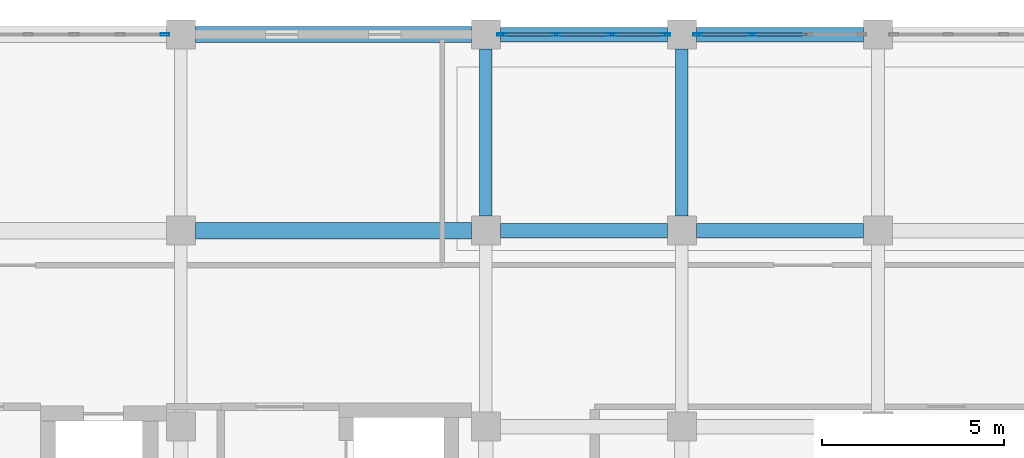
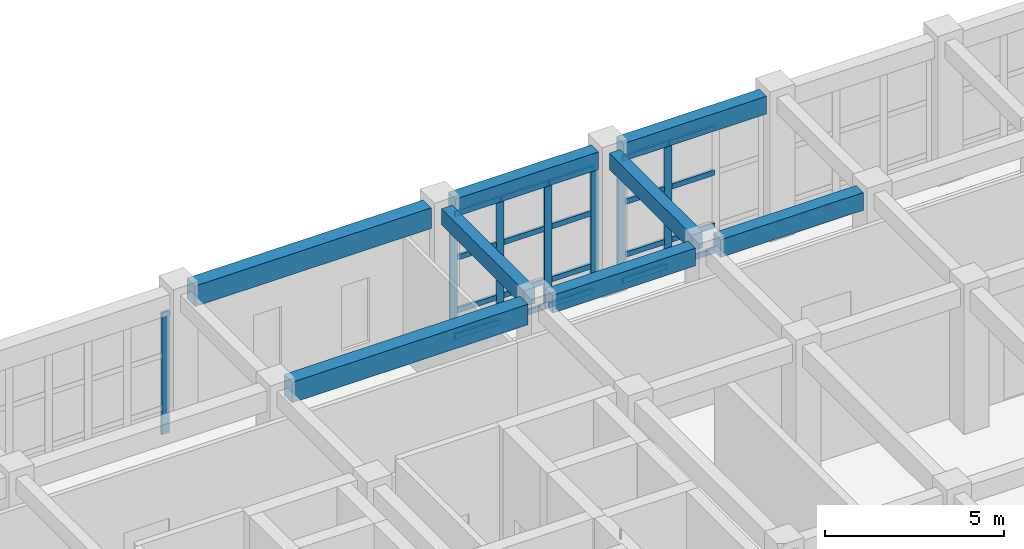
# One storey, part 41 of 77: 27 members, 8 beams, 3 elements without a shape of their own.
"""IFC4 building model written with IfcOpenShell, lengths in metres."""

from ifc_helpers import new_model, si_unit, direction, frame, origin, origin_2d, place, context, subcontext, project, spatial, rectangle, hollow_rectangle, extrude, material, layer, layer_set, material_profile, profile_set, type_object, element, aggregate, save


model = new_model("IFC4")

# Units and contexts
model_context = context("Model", 3, precision=1e-05, world=origin(), true_north=direction((0.0, 1.0)))
body_context = subcontext(model_context, "Body", "Model", "MODEL_VIEW")
ifc_project = project(units=[si_unit("LENGTHUNIT", "METRE"), si_unit("AREAUNIT", "SQUARE_METRE"), si_unit("VOLUMEUNIT", "CUBIC_METRE"), si_unit("PLANEANGLEUNIT", "RADIAN"), si_unit("MASSUNIT", "GRAM", prefix="KILO")], contexts=[model_context])

# Site, building, storey
site_placement = place(None, origin())
site = spatial("IfcSite", under=ifc_project, at=site_placement, CompositionType="ELEMENT")
building_placement = place(site_placement, origin())
building = spatial("IfcBuilding", under=site, at=building_placement, Name="Krzemoval Escarpment Law Courts", CompositionType="ELEMENT")
storey_placement = place(building_placement, frame((0.0, 0.0, 15.300048828125)))
storey = spatial("IfcBuildingStorey", under=building, at=storey_placement, Name="L03", CompositionType="ELEMENT", Elevation=15.300048828125)

# Beams
ifc_material_1 = material(Name="Concrete C40/50", Category="concrete")
ifc_material_profile_1 = material_profile(ifc_material_1, rectangle(XDim=0.35009765625, YDim=0.550048828125, at=origin_2d()), Name="RCB 350x550")
ifc_profile_set_1 = profile_set([ifc_material_profile_1], Name="Concrete C40/50")
beam_type_1 = type_object("IfcBeamType", Name="BM-RC-350x550", PredefinedType="BEAM", material=ifc_profile_set_1)
for number, where, z_axis, x_axis, name in (
    (1, (151.199951171875, 113.800048828125, 4.56494140625), (0.0, 1.0, 0.0), (-1.0, 0.0, 0.0), "Beam FG-L03-2344"),
    (2, (156.60009765625, 113.800048828125, 4.56494140625), (0.0, 1.0, 0.0), (-1.0, 0.0, 0.0), "Beam FG-L03-2348"),
):
    element("IfcBeam", number, at=place(storey_placement, frame(where, z_axis=z_axis, x_axis=x_axis)), inside=storey, type_object=beam_type_1, Name=name, PredefinedType="BEAM", context=body_context, shape_type="SweptSolid", body=[
        extrude(rectangle(XDim=0.35009765625, YDim=0.550048828125, at=origin_2d()), origin(), (0.0, 0.0, 1.0), 4.599853515625),
    ])
ifc_material_2 = material(Name="Concrete C40/50", Category="concrete")
ifc_material_profile_2 = material_profile(ifc_material_2, rectangle(XDim=0.39990234375, YDim=0.60009765625, at=origin_2d()), Name="RCB 400x600")
ifc_profile_set_2 = profile_set([ifc_material_profile_2], Name="Concrete C40/50")
beam_type_2 = type_object("IfcBeamType", Name="BM-RC-400x600", PredefinedType="BEAM", material=ifc_profile_set_2)
beam_1_placement = place(storey_placement, frame((151.60009765625, 113.39990234375, 4.5400390625), z_axis=(1.0, 0.0, 0.0), x_axis=(0.0, 1.0, 0.0)))
element("IfcBeam", 3, at=beam_1_placement, inside=storey, type_object=beam_type_2, Name="Beam FG-L03-2204", PredefinedType="BEAM", context=body_context, shape_type="SweptSolid", body=[
    extrude(rectangle(XDim=0.39990234375, YDim=0.60009765625, at=origin_2d()), origin(), (0.0, 0.0, 1.0), 4.599853515625),
])
beam_2_placement = place(storey_placement, frame((157.0, 113.39990234375, 4.5400390625), z_axis=(1.0, 0.0, 0.0), x_axis=(0.0, 1.0, 0.0)))
element("IfcBeam", 4, at=beam_2_placement, inside=storey, type_object=beam_type_2, Name="Beam FG-L03-2205", PredefinedType="BEAM", context=body_context, shape_type="SweptSolid", body=[
    extrude(rectangle(XDim=0.39990234375, YDim=0.60009765625, at=origin_2d()), origin(), (0.0, 0.0, 1.0), 4.60009765625),
])
beam_3_placement = place(storey_placement, frame((151.60009765625, 118.800048828125, 4.5400390625), z_axis=(1.0, 0.0, 0.0), x_axis=(0.0, 1.0, 0.0)))
element("IfcBeam", 5, at=beam_3_placement, inside=storey, type_object=beam_type_2, Name="Beam FG-L03-2211", PredefinedType="BEAM", context=body_context, shape_type="SweptSolid", body=[
    extrude(rectangle(XDim=0.39990234375, YDim=0.60009765625, at=origin_2d()), origin(), (0.0, 0.0, 1.0), 4.599853515625),
])
beam_4_placement = place(storey_placement, frame((157.0, 118.800048828125, 4.5400390625), z_axis=(1.0, 0.0, 0.0), x_axis=(0.0, 1.0, 0.0)))
element("IfcBeam", 6, at=beam_4_placement, inside=storey, type_object=beam_type_2, Name="Beam FG-L03-2212", PredefinedType="BEAM", context=body_context, shape_type="SweptSolid", body=[
    extrude(rectangle(XDim=0.39990234375, YDim=0.60009765625, at=origin_2d()), origin(), (0.0, 0.0, 1.0), 4.60009765625),
])
ifc_material_3 = material(Name="Concrete C40/50", Category="concrete")
ifc_material_profile_3 = material_profile(ifc_material_3, rectangle(XDim=0.449951171875, YDim=0.699951171875, at=origin_2d()), Name="RCB 450x700")
ifc_profile_set_3 = profile_set([ifc_material_profile_3], Name="Concrete C40/50")
beam_type_3 = type_object("IfcBeamType", Name="BM-RC-450x700", PredefinedType="BEAM", material=ifc_profile_set_3)
for number, where, z_axis, x_axis, name in (
    (7, (143.199951171875, 113.39990234375, 4.489990234375), (1.0, 0.0, 0.0), (0.0, 1.0, 0.0), "Beam FG-L03-2203"),
    (8, (143.199951171875, 118.800048828125, 4.489990234375), (1.0, 0.0, 0.0), (0.0, 1.0, 0.0), "Beam FG-L03-2210"),
):
    element("IfcBeam", number, at=place(storey_placement, frame(where, z_axis=z_axis, x_axis=x_axis)), inside=storey, type_object=beam_type_3, Name=name, PredefinedType="BEAM", context=body_context, shape_type="SweptSolid", body=[
        extrude(rectangle(XDim=0.449951171875, YDim=0.699951171875, at=origin_2d()), origin(), (0.0, 0.0, 1.0), 7.60009765625),
    ])

# Curtain wall, member
ifc_material_4 = material(Name="Aluminium 6063-T6", Category="aluminium")
ifc_layer = layer(ifc_material_4, 0.239990234375)
ifc_layer_set = layer_set([ifc_layer], Name="Aluminium 6063-T6")
curtain_wall_type = type_object("IfcCurtainWallType", Name="CW-CHMB-4800", PredefinedType="USERDEFINED", material=ifc_layer_set)
curtain_wall_1_placement = place(storey_placement, origin())
curtain_wall_1 = element("IfcCurtainWall", 9, at=curtain_wall_1_placement, inside=storey, type_object=curtain_wall_type, Name="Unitised Curtain Wall FCW-L03-115", ObjectType="UNITISED_CURTAIN_WALL", PredefinedType="USERDEFINED")
ifc_material_5 = material(Name="Aluminium 6063-T6", Category="aluminium")
ifc_material_profile_4 = material_profile(ifc_material_5, hollow_rectangle(XDim=0.074951171875, YDim=0.239990234375, WallThickness=0.0048828125, at=origin_2d()), Name="ALU M75x240")
ifc_profile_set_4 = profile_set([ifc_material_profile_4], Name="Aluminium 6063-T6")
member_type_1 = type_object("IfcMemberType", Name="CWM-75x240", PredefinedType="MULLION", material=ifc_profile_set_4)
member_1_placement = place(storey_placement, frame((142.362548828125, 118.800048828125, 0.0), z_axis=(0.0, 0.0, 1.0), x_axis=(0.0, 1.0, 0.0)))
member_1 = element("IfcMember", 10, at=member_1_placement, type_object=member_type_1, Name="FCW-L03-115 mullion 7", PredefinedType="MULLION", context=body_context, shape_type="SweptSolid", body=[
    extrude(hollow_rectangle(XDim=0.074951171875, YDim=0.239990234375, WallThickness=0.0048828125, at=origin_2d()), origin(), (0.0, 0.0, 1.0), 4.139892578125),
])
aggregate(curtain_wall_1, [member_1])

# Curtain wall, members
curtain_wall_2_placement = place(storey_placement, origin())
curtain_wall_2 = element("IfcCurtainWall", 11, at=curtain_wall_2_placement, inside=storey, type_object=curtain_wall_type, Name="Unitised Curtain Wall FCW-L03-116", ObjectType="UNITISED_CURTAIN_WALL", PredefinedType="USERDEFINED")
member_2_placement = place(storey_placement, frame((151.637451171875, 118.800048828125, 0.0), z_axis=(0.0, 0.0, 1.0), x_axis=(0.0, 1.0, 0.0)))
member_2 = element("IfcMember", 12, at=member_2_placement, type_object=member_type_1, Name="FCW-L03-116 mullion 1", PredefinedType="MULLION", context=body_context, shape_type="SweptSolid", body=[
    extrude(hollow_rectangle(XDim=0.074951171875, YDim=0.239990234375, WallThickness=0.0048828125, at=origin_2d()), origin(), (0.0, 0.0, 1.0), 4.239990234375),
])
member_3_placement = place(storey_placement, frame((153.13330078125, 118.800048828125, 0.0), z_axis=(0.0, 0.0, 1.0), x_axis=(0.0, 1.0, 0.0)))
member_3 = element("IfcMember", 13, at=member_3_placement, type_object=member_type_1, Name="FCW-L03-116 mullion 2", PredefinedType="MULLION", context=body_context, shape_type="SweptSolid", body=[
    extrude(hollow_rectangle(XDim=0.074951171875, YDim=0.239990234375, WallThickness=0.0048828125, at=origin_2d()), origin(), (0.0, 0.0, 1.0), 4.239990234375),
])
member_4_placement = place(storey_placement, frame((154.666748046875, 118.800048828125, 0.0), z_axis=(0.0, 0.0, 1.0), x_axis=(0.0, 1.0, 0.0)))
member_4 = element("IfcMember", 14, at=member_4_placement, type_object=member_type_1, Name="FCW-L03-116 mullion 3", PredefinedType="MULLION", context=body_context, shape_type="SweptSolid", body=[
    extrude(hollow_rectangle(XDim=0.074951171875, YDim=0.239990234375, WallThickness=0.0048828125, at=origin_2d()), origin(), (0.0, 0.0, 1.0), 4.239990234375),
])
member_5_placement = place(storey_placement, frame((156.16259765625, 118.800048828125, 0.0), z_axis=(0.0, 0.0, 1.0), x_axis=(0.0, 1.0, 0.0)))
member_5 = element("IfcMember", 15, at=member_5_placement, type_object=member_type_1, Name="FCW-L03-116 mullion 4", PredefinedType="MULLION", context=body_context, shape_type="SweptSolid", body=[
    extrude(hollow_rectangle(XDim=0.074951171875, YDim=0.239990234375, WallThickness=0.0048828125, at=origin_2d()), origin(), (0.0, 0.0, 1.0), 4.239990234375),
])

curtain_wall_3_placement = place(storey_placement, origin())
curtain_wall_3 = element("IfcCurtainWall", 16, at=curtain_wall_3_placement, inside=storey, type_object=curtain_wall_type, Name="Unitised Curtain Wall FCW-L03-117", ObjectType="UNITISED_CURTAIN_WALL", PredefinedType="USERDEFINED")
member_6_placement = place(storey_placement, frame((157.03759765625, 118.800048828125, 0.0), z_axis=(0.0, 0.0, 1.0), x_axis=(0.0, 1.0, 0.0)))
member_6 = element("IfcMember", 17, at=member_6_placement, type_object=member_type_1, Name="FCW-L03-117 mullion 1", PredefinedType="MULLION", context=body_context, shape_type="SweptSolid", body=[
    extrude(hollow_rectangle(XDim=0.074951171875, YDim=0.239990234375, WallThickness=0.0048828125, at=origin_2d()), origin(), (0.0, 0.0, 1.0), 4.239990234375),
])
member_7_placement = place(storey_placement, frame((158.533447265625, 118.800048828125, 0.0), z_axis=(0.0, 0.0, 1.0), x_axis=(0.0, 1.0, 0.0)))
member_7 = element("IfcMember", 18, at=member_7_placement, type_object=member_type_1, Name="FCW-L03-117 mullion 2", PredefinedType="MULLION", context=body_context, shape_type="SweptSolid", body=[
    extrude(hollow_rectangle(XDim=0.074951171875, YDim=0.239990234375, WallThickness=0.0048828125, at=origin_2d()), origin(), (0.0, 0.0, 1.0), 4.239990234375),
])

# Member
ifc_material_6 = material(Name="Aluminium 6063-T6", Category="aluminium")
ifc_material_profile_5 = material_profile(ifc_material_6, hollow_rectangle(XDim=0.074951171875, YDim=0.179931640625, WallThickness=0.0048828125, at=origin_2d()), Name="ALU T75x180")
ifc_profile_set_5 = profile_set([ifc_material_profile_5], Name="Aluminium 6063-T6")
member_type_2 = type_object("IfcMemberType", Name="CWT-75x180", PredefinedType="USERDEFINED", material=ifc_profile_set_5)
member_8_placement = place(storey_placement, frame((151.675048828125, 118.800048828125, 0.037353515625), z_axis=(1.0, 0.0, 0.0), x_axis=(0.0, 1.0, 0.0)))
member_8 = element("IfcMember", 19, at=member_8_placement, type_object=member_type_2, Name="FCW-L03-116 transom 1.1", ObjectType="TRANSOM", PredefinedType="USERDEFINED", context=body_context, shape_type="SweptSolid", body=[
    extrude(hollow_rectangle(XDim=0.074951171875, YDim=0.179931640625, WallThickness=0.0048828125, at=origin_2d()), origin(), (0.0, 0.0, 1.0), 1.4208984375),
])

member_9_placement = place(storey_placement, frame((151.675048828125, 118.800048828125, 0.89990234375), z_axis=(1.0, 0.0, 0.0), x_axis=(0.0, 1.0, 0.0)))
member_9 = element("IfcMember", 20, at=member_9_placement, type_object=member_type_2, Name="FCW-L03-116 transom 1.2", ObjectType="TRANSOM", PredefinedType="USERDEFINED", context=body_context, shape_type="SweptSolid", body=[
    extrude(hollow_rectangle(XDim=0.074951171875, YDim=0.179931640625, WallThickness=0.0048828125, at=origin_2d()), origin(), (0.0, 0.0, 1.0), 1.4208984375),
])

member_10_placement = place(storey_placement, frame((151.675048828125, 118.800048828125, 2.699951171875), z_axis=(1.0, 0.0, 0.0), x_axis=(0.0, 1.0, 0.0)))
member_10 = element("IfcMember", 21, at=member_10_placement, type_object=member_type_2, Name="FCW-L03-116 transom 1.3", ObjectType="TRANSOM", PredefinedType="USERDEFINED", context=body_context, shape_type="SweptSolid", body=[
    extrude(hollow_rectangle(XDim=0.074951171875, YDim=0.179931640625, WallThickness=0.0048828125, at=origin_2d()), origin(), (0.0, 0.0, 1.0), 1.4208984375),
])

member_11_placement = place(storey_placement, frame((151.675048828125, 118.800048828125, 4.202392578125), z_axis=(1.0, 0.0, 0.0), x_axis=(0.0, 1.0, 0.0)))
member_11 = element("IfcMember", 22, at=member_11_placement, type_object=member_type_2, Name="FCW-L03-116 transom 1.4", ObjectType="TRANSOM", PredefinedType="USERDEFINED", context=body_context, shape_type="SweptSolid", body=[
    extrude(hollow_rectangle(XDim=0.074951171875, YDim=0.179931640625, WallThickness=0.0048828125, at=origin_2d()), origin(), (0.0, 0.0, 1.0), 1.4208984375),
])

member_12_placement = place(storey_placement, frame((153.1708984375, 118.800048828125, 0.037353515625), z_axis=(1.0, 0.0, 0.0), x_axis=(0.0, 1.0, 0.0)))
member_12 = element("IfcMember", 23, at=member_12_placement, type_object=member_type_2, Name="FCW-L03-116 transom 2.1", ObjectType="TRANSOM", PredefinedType="USERDEFINED", context=body_context, shape_type="SweptSolid", body=[
    extrude(hollow_rectangle(XDim=0.074951171875, YDim=0.179931640625, WallThickness=0.0048828125, at=origin_2d()), origin(), (0.0, 0.0, 1.0), 1.458251953125),
])

member_13_placement = place(storey_placement, frame((153.1708984375, 118.800048828125, 0.89990234375), z_axis=(1.0, 0.0, 0.0), x_axis=(0.0, 1.0, 0.0)))
member_13 = element("IfcMember", 24, at=member_13_placement, type_object=member_type_2, Name="FCW-L03-116 transom 2.2", ObjectType="TRANSOM", PredefinedType="USERDEFINED", context=body_context, shape_type="SweptSolid", body=[
    extrude(hollow_rectangle(XDim=0.074951171875, YDim=0.179931640625, WallThickness=0.0048828125, at=origin_2d()), origin(), (0.0, 0.0, 1.0), 1.458251953125),
])

member_14_placement = place(storey_placement, frame((153.1708984375, 118.800048828125, 2.699951171875), z_axis=(1.0, 0.0, 0.0), x_axis=(0.0, 1.0, 0.0)))
member_14 = element("IfcMember", 25, at=member_14_placement, type_object=member_type_2, Name="FCW-L03-116 transom 2.3", ObjectType="TRANSOM", PredefinedType="USERDEFINED", context=body_context, shape_type="SweptSolid", body=[
    extrude(hollow_rectangle(XDim=0.074951171875, YDim=0.179931640625, WallThickness=0.0048828125, at=origin_2d()), origin(), (0.0, 0.0, 1.0), 1.458251953125),
])

member_15_placement = place(storey_placement, frame((153.1708984375, 118.800048828125, 4.202392578125), z_axis=(1.0, 0.0, 0.0), x_axis=(0.0, 1.0, 0.0)))
member_15 = element("IfcMember", 26, at=member_15_placement, type_object=member_type_2, Name="FCW-L03-116 transom 2.4", ObjectType="TRANSOM", PredefinedType="USERDEFINED", context=body_context, shape_type="SweptSolid", body=[
    extrude(hollow_rectangle(XDim=0.074951171875, YDim=0.179931640625, WallThickness=0.0048828125, at=origin_2d()), origin(), (0.0, 0.0, 1.0), 1.458251953125),
])

member_16_placement = place(storey_placement, frame((154.7041015625, 118.800048828125, 0.037353515625), z_axis=(1.0, 0.0, 0.0), x_axis=(0.0, 1.0, 0.0)))
member_16 = element("IfcMember", 27, at=member_16_placement, type_object=member_type_2, Name="FCW-L03-116 transom 3.1", ObjectType="TRANSOM", PredefinedType="USERDEFINED", context=body_context, shape_type="SweptSolid", body=[
    extrude(hollow_rectangle(XDim=0.074951171875, YDim=0.179931640625, WallThickness=0.0048828125, at=origin_2d()), origin(), (0.0, 0.0, 1.0), 1.4208984375),
])

member_17_placement = place(storey_placement, frame((154.7041015625, 118.800048828125, 0.89990234375), z_axis=(1.0, 0.0, 0.0), x_axis=(0.0, 1.0, 0.0)))
member_17 = element("IfcMember", 28, at=member_17_placement, type_object=member_type_2, Name="FCW-L03-116 transom 3.2", ObjectType="TRANSOM", PredefinedType="USERDEFINED", context=body_context, shape_type="SweptSolid", body=[
    extrude(hollow_rectangle(XDim=0.074951171875, YDim=0.179931640625, WallThickness=0.0048828125, at=origin_2d()), origin(), (0.0, 0.0, 1.0), 1.4208984375),
])

member_18_placement = place(storey_placement, frame((154.7041015625, 118.800048828125, 2.699951171875), z_axis=(1.0, 0.0, 0.0), x_axis=(0.0, 1.0, 0.0)))
member_18 = element("IfcMember", 29, at=member_18_placement, type_object=member_type_2, Name="FCW-L03-116 transom 3.3", ObjectType="TRANSOM", PredefinedType="USERDEFINED", context=body_context, shape_type="SweptSolid", body=[
    extrude(hollow_rectangle(XDim=0.074951171875, YDim=0.179931640625, WallThickness=0.0048828125, at=origin_2d()), origin(), (0.0, 0.0, 1.0), 1.4208984375),
])

member_19_placement = place(storey_placement, frame((154.7041015625, 118.800048828125, 4.202392578125), z_axis=(1.0, 0.0, 0.0), x_axis=(0.0, 1.0, 0.0)))
member_19 = element("IfcMember", 30, at=member_19_placement, type_object=member_type_2, Name="FCW-L03-116 transom 3.4", ObjectType="TRANSOM", PredefinedType="USERDEFINED", context=body_context, shape_type="SweptSolid", body=[
    extrude(hollow_rectangle(XDim=0.074951171875, YDim=0.179931640625, WallThickness=0.0048828125, at=origin_2d()), origin(), (0.0, 0.0, 1.0), 1.4208984375),
])

aggregate(curtain_wall_2, [member_2, member_3, member_4, member_5, member_8, member_9, member_10, member_11, member_12, member_13, member_14, member_15, member_16, member_17, member_18, member_19])

member_20_placement = place(storey_placement, frame((157.074951171875, 118.800048828125, 0.037353515625), z_axis=(1.0, 0.0, 0.0), x_axis=(0.0, 1.0, 0.0)))
member_20 = element("IfcMember", 31, at=member_20_placement, type_object=member_type_2, Name="FCW-L03-117 transom 1.1", ObjectType="TRANSOM", PredefinedType="USERDEFINED", context=body_context, shape_type="SweptSolid", body=[
    extrude(hollow_rectangle(XDim=0.074951171875, YDim=0.179931640625, WallThickness=0.0048828125, at=origin_2d()), origin(), (0.0, 0.0, 1.0), 1.4208984375),
])

member_21_placement = place(storey_placement, frame((157.074951171875, 118.800048828125, 0.89990234375), z_axis=(1.0, 0.0, 0.0), x_axis=(0.0, 1.0, 0.0)))
member_21 = element("IfcMember", 32, at=member_21_placement, type_object=member_type_2, Name="FCW-L03-117 transom 1.2", ObjectType="TRANSOM", PredefinedType="USERDEFINED", context=body_context, shape_type="SweptSolid", body=[
    extrude(hollow_rectangle(XDim=0.074951171875, YDim=0.179931640625, WallThickness=0.0048828125, at=origin_2d()), origin(), (0.0, 0.0, 1.0), 1.4208984375),
])

member_22_placement = place(storey_placement, frame((157.074951171875, 118.800048828125, 2.699951171875), z_axis=(1.0, 0.0, 0.0), x_axis=(0.0, 1.0, 0.0)))
member_22 = element("IfcMember", 33, at=member_22_placement, type_object=member_type_2, Name="FCW-L03-117 transom 1.3", ObjectType="TRANSOM", PredefinedType="USERDEFINED", context=body_context, shape_type="SweptSolid", body=[
    extrude(hollow_rectangle(XDim=0.074951171875, YDim=0.179931640625, WallThickness=0.0048828125, at=origin_2d()), origin(), (0.0, 0.0, 1.0), 1.4208984375),
])

member_23_placement = place(storey_placement, frame((157.074951171875, 118.800048828125, 4.202392578125), z_axis=(1.0, 0.0, 0.0), x_axis=(0.0, 1.0, 0.0)))
member_23 = element("IfcMember", 34, at=member_23_placement, type_object=member_type_2, Name="FCW-L03-117 transom 1.4", ObjectType="TRANSOM", PredefinedType="USERDEFINED", context=body_context, shape_type="SweptSolid", body=[
    extrude(hollow_rectangle(XDim=0.074951171875, YDim=0.179931640625, WallThickness=0.0048828125, at=origin_2d()), origin(), (0.0, 0.0, 1.0), 1.4208984375),
])

member_24_placement = place(storey_placement, frame((158.57080078125, 118.800048828125, 0.037353515625), z_axis=(1.0, 0.0, 0.0), x_axis=(0.0, 1.0, 0.0)))
member_24 = element("IfcMember", 35, at=member_24_placement, type_object=member_type_2, Name="FCW-L03-117 transom 2.1", ObjectType="TRANSOM", PredefinedType="USERDEFINED", context=body_context, shape_type="SweptSolid", body=[
    extrude(hollow_rectangle(XDim=0.074951171875, YDim=0.179931640625, WallThickness=0.0048828125, at=origin_2d()), origin(), (0.0, 0.0, 1.0), 1.458251953125),
])

member_25_placement = place(storey_placement, frame((158.57080078125, 118.800048828125, 0.89990234375), z_axis=(1.0, 0.0, 0.0), x_axis=(0.0, 1.0, 0.0)))
member_25 = element("IfcMember", 36, at=member_25_placement, type_object=member_type_2, Name="FCW-L03-117 transom 2.2", ObjectType="TRANSOM", PredefinedType="USERDEFINED", context=body_context, shape_type="SweptSolid", body=[
    extrude(hollow_rectangle(XDim=0.074951171875, YDim=0.179931640625, WallThickness=0.0048828125, at=origin_2d()), origin(), (0.0, 0.0, 1.0), 1.458251953125),
])

member_26_placement = place(storey_placement, frame((158.57080078125, 118.800048828125, 2.699951171875), z_axis=(1.0, 0.0, 0.0), x_axis=(0.0, 1.0, 0.0)))
member_26 = element("IfcMember", 37, at=member_26_placement, type_object=member_type_2, Name="FCW-L03-117 transom 2.3", ObjectType="TRANSOM", PredefinedType="USERDEFINED", context=body_context, shape_type="SweptSolid", body=[
    extrude(hollow_rectangle(XDim=0.074951171875, YDim=0.179931640625, WallThickness=0.0048828125, at=origin_2d()), origin(), (0.0, 0.0, 1.0), 1.458251953125),
])

member_27_placement = place(storey_placement, frame((158.57080078125, 118.800048828125, 4.202392578125), z_axis=(1.0, 0.0, 0.0), x_axis=(0.0, 1.0, 0.0)))
member_27 = element("IfcMember", 38, at=member_27_placement, type_object=member_type_2, Name="FCW-L03-117 transom 2.4", ObjectType="TRANSOM", PredefinedType="USERDEFINED", context=body_context, shape_type="SweptSolid", body=[
    extrude(hollow_rectangle(XDim=0.074951171875, YDim=0.179931640625, WallThickness=0.0048828125, at=origin_2d()), origin(), (0.0, 0.0, 1.0), 1.458251953125),
])

aggregate(curtain_wall_3, [member_6, member_7, member_20, member_21, member_22, member_23, member_24, member_25, member_26, member_27])

save(model, "model.ifc")
